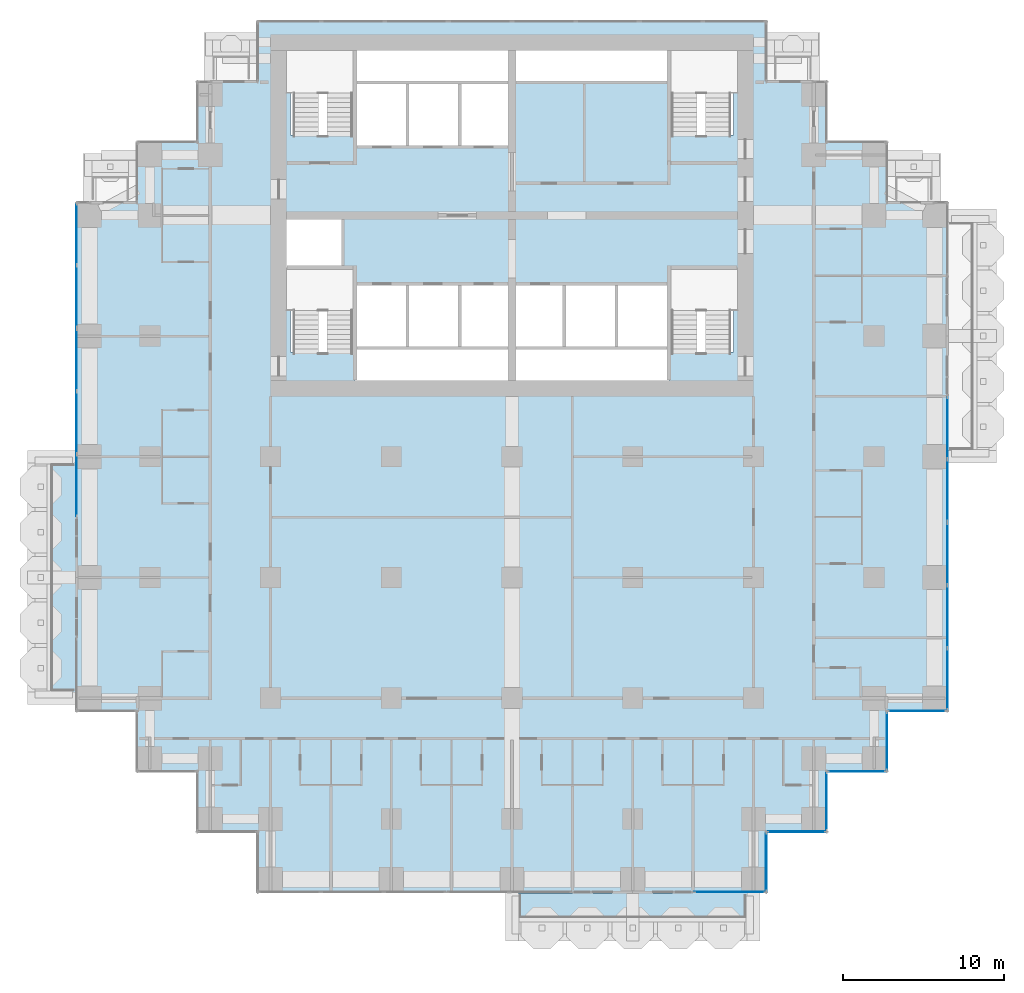
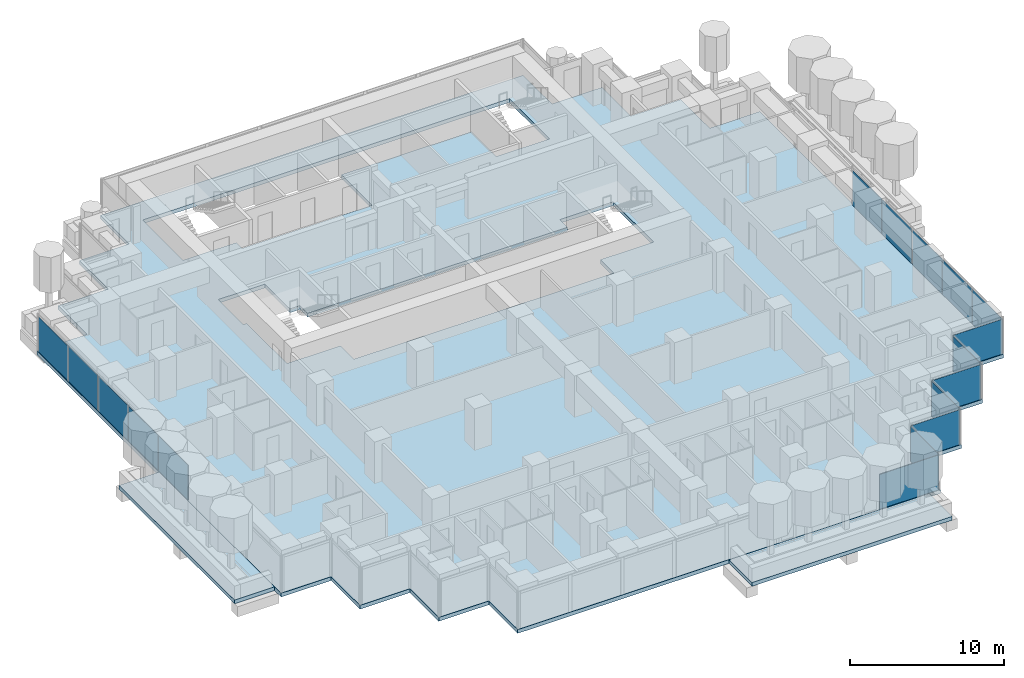
# One storey, part 8 of 20: 17 plates, 3 slabs, 11 elements without a shape of their own.
"""IFC4 building model written with IfcOpenShell, lengths in metres."""

from ifc_helpers import new_model, si_unit, direction, frame, origin, origin_2d, place, context, subcontext, project, spatial, polyline, rectangle, outline, extrude, material, layer, layer_set, type_object, element, aggregate, save


model = new_model("IFC4")

# Units and contexts
model_context = context("Model", 3, precision=1e-05, world=origin(), true_north=direction((0.0, 1.0)))
body_context = subcontext(model_context, "Body", "Model", "MODEL_VIEW")
ifc_project = project(units=[si_unit("LENGTHUNIT", "METRE"), si_unit("AREAUNIT", "SQUARE_METRE"), si_unit("VOLUMEUNIT", "CUBIC_METRE"), si_unit("PLANEANGLEUNIT", "RADIAN"), si_unit("MASSUNIT", "GRAM", prefix="KILO")], contexts=[model_context])

# Site, building, storey
site_placement = place(None, origin())
site = spatial("IfcSite", under=ifc_project, at=site_placement, CompositionType="ELEMENT")
building_placement = place(site_placement, origin())
building = spatial("IfcBuilding", under=site, at=building_placement, Name="Pilkhan Gate Tower", CompositionType="ELEMENT")
storey_placement = place(building_placement, frame((0.0, 0.0, 98.89990234375)))
storey = spatial("IfcBuildingStorey", under=building, at=storey_placement, Name="L24", CompositionType="ELEMENT", Elevation=98.89990234375)

# Slabs
ifc_material_1 = material(Name="Concrete C60/75", Category="concrete")
ifc_layer_1 = layer(ifc_material_1, 0.300048828125)
ifc_layer_set_1 = layer_set([ifc_layer_1], Name="Balcony tray slab TR300")
slab_type_1 = type_object("IfcSlabType", Name="Balcony tray slab TR300", PredefinedType="FLOOR", material=ifc_layer_set_1)
slab_1_placement = place(storey_placement, frame((0.0, 0.0, -0.2998046875)))
element("IfcSlab", 1, at=slab_1_placement, inside=storey, type_object=slab_type_1, Name="Balcony tray L24 S", PredefinedType="FLOOR", context=body_context, shape_type="SweptSolid", body=[
    extrude(outline(polyline([(90.0, 37.39990234375), (90.0, 40.39990234375), (75.0, 40.39990234375), (75.0, 37.39990234375), (90.0, 37.39990234375)])), origin(), (0.0, 0.0, 1.0), 0.2998046875),
])
slab_2_placement = place(storey_placement, frame((0.0, 0.0, -0.2998046875)))
element("IfcSlab", 2, at=slab_2_placement, inside=storey, type_object=slab_type_1, Name="Balcony tray L24 W", PredefinedType="FLOOR", context=body_context, shape_type="SweptSolid", body=[
    extrude(outline(polyline([(47.89990234375, 52.5), (47.89990234375, 67.5), (44.89990234375, 67.5), (44.89990234375, 52.5), (47.89990234375, 52.5)])), origin(), (0.0, 0.0, 1.0), 0.2998046875),
])
ifc_material_2 = material(Name="Concrete C40/50", Category="concrete")
ifc_layer_2 = layer(ifc_material_2, 0.300048828125)
ifc_layer_set_2 = layer_set([ifc_layer_2], Name="Flat plate slab FP300")
slab_type_2 = type_object("IfcSlabType", Name="Flat plate slab FP300", PredefinedType="FLOOR", material=ifc_layer_set_2)
slab_3_placement = place(storey_placement, frame((0.0, 0.0, -0.2998046875)))
element("IfcSlab", 3, at=slab_3_placement, inside=storey, type_object=slab_type_2, Name="Floor slab L24", PredefinedType="FLOOR", context=body_context, shape_type="SweptSolid", body=[
    extrude(outline(polyline([(98.35009765625, 47.89990234375), (94.60009765625, 47.89990234375), (94.60009765625, 44.14990234375), (90.85009765625, 44.14990234375), (90.85009765625, 40.39990234375), (59.14990234375, 40.39990234375), (59.14990234375, 44.14990234375), (55.39990234375, 44.14990234375), (55.39990234375, 47.89990234375), (51.64990234375, 47.89990234375), (51.64990234375, 51.64990234375), (47.89990234375, 51.64990234375), (47.89990234375, 83.35009765625), (51.64990234375, 83.35009765625), (51.64990234375, 87.10009765625), (55.39990234375, 87.10009765625), (55.39990234375, 90.85009765625), (59.14990234375, 90.85009765625), (59.14990234375, 94.60009765625), (90.85009765625, 94.60009765625), (90.85009765625, 90.85009765625), (94.60009765625, 90.85009765625), (94.60009765625, 87.10009765625), (98.35009765625, 87.10009765625), (98.35009765625, 83.35009765625), (102.10009765625, 83.35009765625), (102.10009765625, 51.64990234375), (98.35009765625, 51.64990234375), (98.35009765625, 47.89990234375)]), holes=[polyline([(65.25, 87.5), (65.25, 86.75), (68.5, 86.75), (71.75, 86.75), (75.0, 86.75), (75.0, 90.75), (84.75, 90.75), (84.75, 87.5), (88.75, 87.5), (88.75, 92.75), (84.75, 92.75), (75.0, 92.75), (65.25, 92.75), (61.25, 92.75), (61.25, 87.5), (65.25, 87.5)]), polyline([(75.0, 72.25), (84.75, 72.25), (84.75, 74.0), (88.75, 74.0), (88.75, 79.25), (84.75, 79.25), (84.75, 78.25), (81.5, 78.25), (78.25, 78.25), (75.0, 78.25), (71.75, 78.25), (68.5, 78.25), (65.25, 78.25), (65.25, 79.25), (64.5, 79.25), (64.5, 82.5), (61.25, 82.5), (61.0, 82.5), (61.0, 79.25), (61.25, 79.25), (61.25, 74.0), (65.25, 74.0), (65.25, 72.25), (75.0, 72.25)])]), origin(), (0.0, 0.0, 1.0), 0.2998046875),
])

# Curtain wall, plates
ifc_material_3 = material(Name="Pale anodised aluminium, clear low-iron double glazing", Category="aluminium")
curtain_wall_type = type_object("IfcCurtainWallType", Name="Hotel unitised curtain wall CW-H", PredefinedType="USERDEFINED", material=ifc_material_3)
curtain_wall_1_placement = place(storey_placement, origin())
curtain_wall_1 = element("IfcCurtainWall", 4, at=curtain_wall_1_placement, inside=storey, type_object=curtain_wall_type, Name="Hotel unitised curtain wall CW-H L24 E", ObjectType="UNITISED CURTAIN WALL", PredefinedType="USERDEFINED")
ifc_material_4 = material(Name="Clear low-iron double glazing", Category="glass")
ifc_layer_3 = layer(ifc_material_4, 0.035888671875)
ifc_layer_set_3 = layer_set([ifc_layer_3], Name="Glass panel CW-H 36")
plate_type = type_object("IfcPlateType", Name="Glass panel CW-H 36", PredefinedType="CURTAIN_PANEL", material=ifc_layer_set_3)
plate_1_placement = place(storey_placement, frame((102.044921875, 53.67578125, 0.0), z_axis=(0.0, 0.0, 1.0), x_axis=(0.0, 1.0, 0.0)))
plate_1 = element("IfcPlate", 5, at=plate_1_placement, type_object=plate_type, Name="CW-H panel 1", PredefinedType="CURTAIN_PANEL", context=body_context, shape_type="SweptSolid", body=[
    extrude(rectangle(XDim=3.8115234375, YDim=0.035888671875, at=origin_2d()), origin(), (0.0, 0.0, 1.0), 2.77001953125),
])
plate_2_placement = place(storey_placement, frame((102.044921875, 57.568603515625, 0.0), z_axis=(0.0, 0.0, 1.0), x_axis=(0.0, 1.0, 0.0)))
plate_2 = element("IfcPlate", 6, at=plate_2_placement, type_object=plate_type, Name="CW-H panel 2", PredefinedType="CURTAIN_PANEL", context=body_context, shape_type="SweptSolid", body=[
    extrude(rectangle(XDim=3.843994140625, YDim=0.035888671875, at=origin_2d()), origin(), (0.0, 0.0, 1.0), 2.77001953125),
])
plate_3_placement = place(storey_placement, frame((102.044921875, 61.461181640625, 0.0), z_axis=(0.0, 0.0, 1.0), x_axis=(0.0, 1.0, 0.0)))
plate_3 = element("IfcPlate", 7, at=plate_3_placement, type_object=plate_type, Name="CW-H panel 3", PredefinedType="CURTAIN_PANEL", context=body_context, shape_type="SweptSolid", body=[
    extrude(rectangle(XDim=3.8115234375, YDim=0.035888671875, at=origin_2d()), origin(), (0.0, 0.0, 1.0), 2.77001953125),
])
aggregate(curtain_wall_1, [plate_1, plate_2, plate_3])

curtain_wall_2_placement = place(storey_placement, origin())
curtain_wall_2 = element("IfcCurtainWall", 8, at=curtain_wall_2_placement, inside=storey, type_object=curtain_wall_type, Name="Hotel unitised curtain wall CW-H L24 E", ObjectType="UNITISED CURTAIN WALL", PredefinedType="USERDEFINED")
plate_4_placement = place(storey_placement, frame((102.044921875, 65.40283203125, 0.0), z_axis=(0.0, 0.0, 1.0), x_axis=(0.0, 1.0, 0.0)))
plate_4 = element("IfcPlate", 9, at=plate_4_placement, type_object=plate_type, Name="CW-H panel 1", PredefinedType="CURTAIN_PANEL", context=body_context, shape_type="SweptSolid", body=[
    extrude(rectangle(XDim=3.8115234375, YDim=0.035888671875, at=origin_2d()), origin(), (0.0, 0.0, 1.0), 2.77001953125),
])
plate_5_placement = place(storey_placement, frame((102.044921875, 69.279296875, 0.0), z_axis=(0.0, 0.0, 1.0), x_axis=(0.0, 1.0, 0.0)))
plate_5 = element("IfcPlate", 10, at=plate_5_placement, type_object=plate_type, Name="CW-H panel 2", PredefinedType="CURTAIN_PANEL", context=body_context, shape_type="SweptSolid", body=[
    extrude(rectangle(XDim=3.8115234375, YDim=0.035888671875, at=origin_2d()), origin(), (0.0, 0.0, 1.0), 2.77001953125),
])
aggregate(curtain_wall_2, [plate_4, plate_5])

curtain_wall_3_placement = place(storey_placement, origin())
curtain_wall_3 = element("IfcCurtainWall", 11, at=curtain_wall_3_placement, inside=storey, type_object=curtain_wall_type, Name="Hotel unitised curtain wall CW-H L24 W", ObjectType="UNITISED CURTAIN WALL", PredefinedType="USERDEFINED")
plate_6_placement = place(storey_placement, frame((47.955078125, 65.720703125, 0.0), z_axis=(0.0, 0.0, 1.0), x_axis=(0.0, 1.0, 0.0)))
plate_6 = element("IfcPlate", 12, at=plate_6_placement, type_object=plate_type, Name="CW-H panel 1", PredefinedType="CURTAIN_PANEL", context=body_context, shape_type="SweptSolid", body=[
    extrude(rectangle(XDim=3.8115234375, YDim=0.035888671875, at=origin_2d()), origin(), (0.0, 0.0, 1.0), 2.77001953125),
])
plate_7_placement = place(storey_placement, frame((47.955078125, 69.613525390625, 0.0), z_axis=(0.0, 0.0, 1.0), x_axis=(0.0, 1.0, 0.0)))
plate_7 = element("IfcPlate", 13, at=plate_7_placement, type_object=plate_type, Name="CW-H panel 2", PredefinedType="CURTAIN_PANEL", context=body_context, shape_type="SweptSolid", body=[
    extrude(rectangle(XDim=3.843994140625, YDim=0.035888671875, at=origin_2d()), origin(), (0.0, 0.0, 1.0), 2.77001953125),
])
plate_8_placement = place(storey_placement, frame((47.955078125, 73.50634765625, 0.0), z_axis=(0.0, 0.0, 1.0), x_axis=(0.0, 1.0, 0.0)))
plate_8 = element("IfcPlate", 14, at=plate_8_placement, type_object=plate_type, Name="CW-H panel 3", PredefinedType="CURTAIN_PANEL", context=body_context, shape_type="SweptSolid", body=[
    extrude(rectangle(XDim=3.8115234375, YDim=0.035888671875, at=origin_2d()), origin(), (0.0, 0.0, 1.0), 2.77001953125),
])
aggregate(curtain_wall_3, [plate_6, plate_7, plate_8])

curtain_wall_4_placement = place(storey_placement, origin())
curtain_wall_4 = element("IfcCurtainWall", 15, at=curtain_wall_4_placement, inside=storey, type_object=curtain_wall_type, Name="Hotel unitised curtain wall CW-H L24 W", ObjectType="UNITISED CURTAIN WALL", PredefinedType="USERDEFINED")
plate_9_placement = place(storey_placement, frame((47.955078125, 77.44775390625, 0.0), z_axis=(0.0, 0.0, 1.0), x_axis=(0.0, 1.0, 0.0)))
plate_9 = element("IfcPlate", 16, at=plate_9_placement, type_object=plate_type, Name="CW-H panel 1", PredefinedType="CURTAIN_PANEL", context=body_context, shape_type="SweptSolid", body=[
    extrude(rectangle(XDim=3.8115234375, YDim=0.035888671875, at=origin_2d()), origin(), (0.0, 0.0, 1.0), 2.77001953125),
])
plate_10_placement = place(storey_placement, frame((47.955078125, 81.32421875, 0.0), z_axis=(0.0, 0.0, 1.0), x_axis=(0.0, 1.0, 0.0)))
plate_10 = element("IfcPlate", 17, at=plate_10_placement, type_object=plate_type, Name="CW-H panel 2", PredefinedType="CURTAIN_PANEL", context=body_context, shape_type="SweptSolid", body=[
    extrude(rectangle(XDim=3.8115234375, YDim=0.035888671875, at=origin_2d()), origin(), (0.0, 0.0, 1.0), 2.77001953125),
])
aggregate(curtain_wall_4, [plate_9, plate_10])

# Curtain wall, plate
curtain_wall_5_placement = place(storey_placement, origin())
curtain_wall_5 = element("IfcCurtainWall", 18, at=curtain_wall_5_placement, inside=storey, type_object=curtain_wall_type, Name="Hotel unitised curtain wall CW-H L24 S", ObjectType="UNITISED CURTAIN WALL", PredefinedType="USERDEFINED")
plate_11_placement = place(storey_placement, frame((88.5224609375, 40.455078125, 0.0), z_axis=(0.0, 0.0, 1.0), x_axis=(1.0, 0.0, 0.0)))
plate_11 = element("IfcPlate", 19, at=plate_11_placement, type_object=plate_type, Name="CW-H panel 1", PredefinedType="CURTAIN_PANEL", context=body_context, shape_type="SweptSolid", body=[
    extrude(rectangle(XDim=4.4150390625, YDim=0.035888671875, at=origin_2d()), origin(), (0.0, 0.0, 1.0), 2.77001953125),
])
aggregate(curtain_wall_5, [plate_11])

curtain_wall_6_placement = place(storey_placement, origin())
curtain_wall_6 = element("IfcCurtainWall", 20, at=curtain_wall_6_placement, inside=storey, type_object=curtain_wall_type, Name="Hotel unitised curtain wall CW-H L24 E", ObjectType="UNITISED CURTAIN WALL", PredefinedType="USERDEFINED")
plate_12_placement = place(storey_placement, frame((90.794921875, 42.330078125, 0.0), z_axis=(0.0, 0.0, 1.0), x_axis=(0.0, 1.0, 0.0)))
plate_12 = element("IfcPlate", 21, at=plate_12_placement, type_object=plate_type, Name="CW-H panel 1", PredefinedType="CURTAIN_PANEL", context=body_context, shape_type="SweptSolid", body=[
    extrude(rectangle(XDim=3.6201171875, YDim=0.035888671875, at=origin_2d()), origin(), (0.0, 0.0, 1.0), 2.77001953125),
])
aggregate(curtain_wall_6, [plate_12])

curtain_wall_7_placement = place(storey_placement, origin())
curtain_wall_7 = element("IfcCurtainWall", 22, at=curtain_wall_7_placement, inside=storey, type_object=curtain_wall_type, Name="Hotel unitised curtain wall CW-H L24 S", ObjectType="UNITISED CURTAIN WALL", PredefinedType="USERDEFINED")
plate_13_placement = place(storey_placement, frame((92.669921875, 44.205078125, 0.0), z_axis=(0.0, 0.0, 1.0), x_axis=(1.0, 0.0, 0.0)))
plate_13 = element("IfcPlate", 23, at=plate_13_placement, type_object=plate_type, Name="CW-H panel 1", PredefinedType="CURTAIN_PANEL", context=body_context, shape_type="SweptSolid", body=[
    extrude(rectangle(XDim=3.6201171875, YDim=0.035888671875, at=origin_2d()), origin(), (0.0, 0.0, 1.0), 2.77001953125),
])
aggregate(curtain_wall_7, [plate_13])

curtain_wall_8_placement = place(storey_placement, origin())
curtain_wall_8 = element("IfcCurtainWall", 24, at=curtain_wall_8_placement, inside=storey, type_object=curtain_wall_type, Name="Hotel unitised curtain wall CW-H L24 E", ObjectType="UNITISED CURTAIN WALL", PredefinedType="USERDEFINED")
plate_14_placement = place(storey_placement, frame((94.544921875, 46.080078125, 0.0), z_axis=(0.0, 0.0, 1.0), x_axis=(0.0, 1.0, 0.0)))
plate_14 = element("IfcPlate", 25, at=plate_14_placement, type_object=plate_type, Name="CW-H panel 1", PredefinedType="CURTAIN_PANEL", context=body_context, shape_type="SweptSolid", body=[
    extrude(rectangle(XDim=3.6201171875, YDim=0.035888671875, at=origin_2d()), origin(), (0.0, 0.0, 1.0), 2.77001953125),
])
aggregate(curtain_wall_8, [plate_14])

curtain_wall_9_placement = place(storey_placement, origin())
curtain_wall_9 = element("IfcCurtainWall", 26, at=curtain_wall_9_placement, inside=storey, type_object=curtain_wall_type, Name="Hotel unitised curtain wall CW-H L24 S", ObjectType="UNITISED CURTAIN WALL", PredefinedType="USERDEFINED")
plate_15_placement = place(storey_placement, frame((96.419921875, 47.955078125, 0.0), z_axis=(0.0, 0.0, 1.0), x_axis=(1.0, 0.0, 0.0)))
plate_15 = element("IfcPlate", 27, at=plate_15_placement, type_object=plate_type, Name="CW-H panel 1", PredefinedType="CURTAIN_PANEL", context=body_context, shape_type="SweptSolid", body=[
    extrude(rectangle(XDim=3.6201171875, YDim=0.035888671875, at=origin_2d()), origin(), (0.0, 0.0, 1.0), 2.77001953125),
])
aggregate(curtain_wall_9, [plate_15])

curtain_wall_10_placement = place(storey_placement, origin())
curtain_wall_10 = element("IfcCurtainWall", 28, at=curtain_wall_10_placement, inside=storey, type_object=curtain_wall_type, Name="Hotel unitised curtain wall CW-H L24 E", ObjectType="UNITISED CURTAIN WALL", PredefinedType="USERDEFINED")
plate_16_placement = place(storey_placement, frame((98.294921875, 49.830078125, 0.0), z_axis=(0.0, 0.0, 1.0), x_axis=(0.0, 1.0, 0.0)))
plate_16 = element("IfcPlate", 29, at=plate_16_placement, type_object=plate_type, Name="CW-H panel 1", PredefinedType="CURTAIN_PANEL", context=body_context, shape_type="SweptSolid", body=[
    extrude(rectangle(XDim=3.6201171875, YDim=0.035888671875, at=origin_2d()), origin(), (0.0, 0.0, 1.0), 2.77001953125),
])
aggregate(curtain_wall_10, [plate_16])

curtain_wall_11_placement = place(storey_placement, origin())
curtain_wall_11 = element("IfcCurtainWall", 30, at=curtain_wall_11_placement, inside=storey, type_object=curtain_wall_type, Name="Hotel unitised curtain wall CW-H L24 S", ObjectType="UNITISED CURTAIN WALL", PredefinedType="USERDEFINED")
plate_17_placement = place(storey_placement, frame((100.169921875, 51.705078125, 0.0), z_axis=(0.0, 0.0, 1.0), x_axis=(1.0, 0.0, 0.0)))
plate_17 = element("IfcPlate", 31, at=plate_17_placement, type_object=plate_type, Name="CW-H panel 1", PredefinedType="CURTAIN_PANEL", context=body_context, shape_type="SweptSolid", body=[
    extrude(rectangle(XDim=3.6201171875, YDim=0.035888671875, at=origin_2d()), origin(), (0.0, 0.0, 1.0), 2.77001953125),
])
aggregate(curtain_wall_11, [plate_17])

save(model, "model.ifc")
